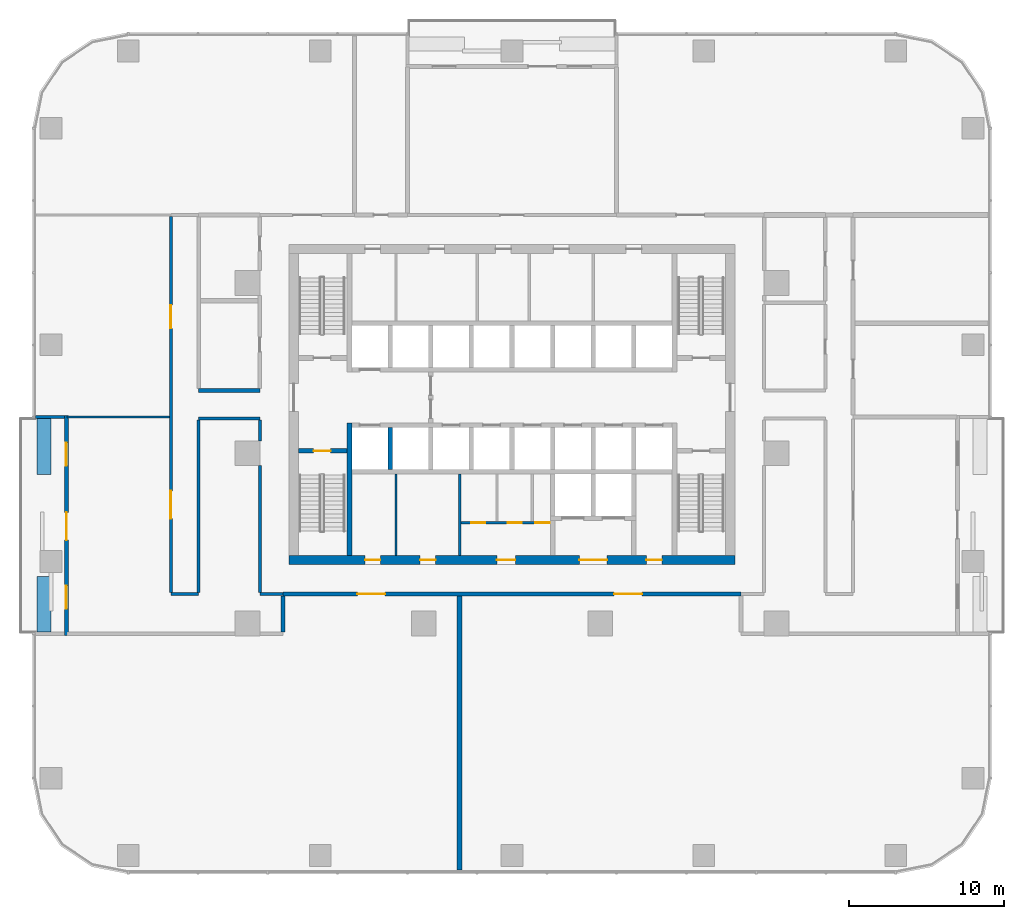
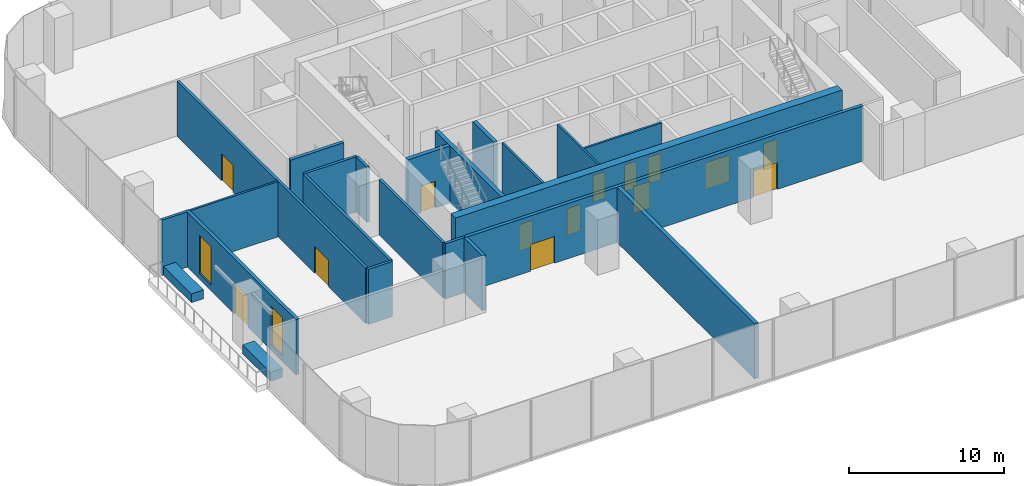
# One storey, part 7 of 14: 23 walls, 14 doors, 2 windows, 16 openings.
"""IFC4 building model written with IfcOpenShell, lengths in metres."""

import ifcopenshell
import ifcopenshell.guid

model = None  # the IFC model being written
_history = None  # IfcOwnerHistory: only IFC2X3 demands one
_inside = {}  # id of a spatial element -> (the spatial element, [elements in it])
_under = {}  # id of a project, library or spatial element -> (it, [spatial elements below it])
_declared = {}  # id of a project -> (the project, [libraries it declares])
_typed = {}  # id of a type object -> (the type object, [elements of that type])
_made_of = {}  # id of a material, layer set ... -> (it, [elements and type objects made of it])


def new_model(schema):
    """Start an empty IFC model of exactly this schema.

    Asked for "IFC4X3", IfcOpenShell would pick the latest addendum, in which some entities
    have other attributes; the version numbers below select the first issue.
    IFC2X3 requires an IfcOwnerHistory on every rooted entity: one is made here for all.
    """
    global model, _history
    if schema == "IFC4X3":
        model = ifcopenshell.file(schema_version=(4, 3, 0, 0))
    else:
        model = ifcopenshell.file(schema=schema)
    _inside.clear()
    _under.clear()
    _declared.clear()
    _typed.clear()
    _made_of.clear()
    _history = None
    if model.schema == "IFC2X3":
        org = make("IfcOrganization", Name="unknown")
        user = make(
            "IfcPersonAndOrganization",
            ThePerson=make("IfcPerson", FamilyName="unknown"),
            TheOrganization=org,
        )
        app = make(
            "IfcApplication",
            ApplicationDeveloper=org,
            Version="unknown",
            ApplicationFullName="unknown",
            ApplicationIdentifier="unknown",
        )
        _history = make(
            "IfcOwnerHistory",
            OwningUser=user,
            OwningApplication=app,
            ChangeAction="ADDED",
            CreationDate=0,
        )
    return model


def make(cls, **values):
    """One entity of the class cls with the attributes given. An attribute that is None is left unset."""
    return model.create_entity(
        cls, **{name: value for name, value in values.items() if value is not None}
    )


def rooted(cls, **values):
    """An entity with a GlobalId (a new one), such as an element, a storey or a relation."""
    return make(cls, GlobalId=ifcopenshell.guid.new(), OwnerHistory=_history, **values)


def si_unit(unit_type, name, prefix=None):
    """IfcSIUnit, for example si_unit("LENGTHUNIT", "METRE", prefix="MILLI")."""
    return make("IfcSIUnit", UnitType=unit_type, Prefix=prefix, Name=name)


def assignment(units):
    """IfcUnitAssignment: the units of a project."""
    return None if units is None else make("IfcUnitAssignment", Units=units)


def point(xyz):
    """IfcCartesianPoint."""
    return None if xyz is None else make("IfcCartesianPoint", Coordinates=xyz)


def direction(xyz):
    """IfcDirection."""
    return None if xyz is None else make("IfcDirection", DirectionRatios=xyz)


def frame(location, z_axis=None, x_axis=None):
    """IfcAxis2Placement3D, a coordinate frame: its origin and axes. An axis left out is left unset."""
    return make(
        "IfcAxis2Placement3D",
        Location=point(location),
        Axis=direction(z_axis),
        RefDirection=direction(x_axis),
    )


def frame_2d(location, x_axis=None):
    """IfcAxis2Placement2D, a coordinate frame in the plane: its origin and x axis."""
    return make(
        "IfcAxis2Placement2D", Location=point(location), RefDirection=direction(x_axis)
    )


def origin():
    """The frame at (0, 0, 0) with its axes left unset."""
    return frame((0.0, 0.0, 0.0))


def place(relative_to, where):
    """IfcLocalPlacement: puts the frame where relative to a parent placement (None: the world)."""
    return make(
        "IfcLocalPlacement", PlacementRelTo=relative_to, RelativePlacement=where
    )


def context(
    kind, dimensions, precision=None, world=None, true_north=None, identifier=None
):
    """IfcGeometricRepresentationContext, for example the 3D "Model" context."""
    return make(
        "IfcGeometricRepresentationContext",
        ContextIdentifier=identifier,
        ContextType=kind,
        CoordinateSpaceDimension=dimensions,
        Precision=precision,
        WorldCoordinateSystem=world,
        TrueNorth=true_north,
    )


def subcontext(parent, identifier, kind, view, scale=None):
    """IfcGeometricRepresentationSubContext, for example "Body" below "Model"."""
    return make(
        "IfcGeometricRepresentationSubContext",
        ContextIdentifier=identifier,
        ContextType=kind,
        ParentContext=parent,
        TargetScale=scale,
        TargetView=view,
    )


def project(units=None, contexts=None):
    """IfcProject with its units and contexts."""
    return rooted(
        "IfcProject",
        Name="project",
        RepresentationContexts=contexts,
        UnitsInContext=assignment(units),
    )


def spatial(cls, under=None, at=None, **own):
    """A site, building, storey or space (cls), placed at a placement, below another one or the project."""
    s = rooted(cls, ObjectPlacement=at, **own)
    if under is not None:
        _under.setdefault(under.id(), (under, []))[1].append(s)
    return s


def profile(cls, at=None, kind="AREA", **sizes):
    """A parametric profile (cls). Its sizes go by their IFC names, for example OverallWidth=200.0."""
    return make(cls, ProfileType=kind, Position=at, **sizes)


def rectangle(**sizes):
    """IfcRectangleProfileDef."""
    return profile("IfcRectangleProfileDef", **sizes)


def extrude(swept, where, along, depth):
    """IfcExtrudedAreaSolid: the profile swept, set in the frame where, extruded along a direction by depth."""
    return make(
        "IfcExtrudedAreaSolid",
        SweptArea=swept,
        Position=where,
        ExtrudedDirection=direction(along),
        Depth=depth,
    )


def shape(context_of_items, identifier, shape_type, items):
    """IfcShapeRepresentation: the items that make up one representation, for example the "Body"."""
    return make(
        "IfcShapeRepresentation",
        ContextOfItems=context_of_items,
        RepresentationIdentifier=identifier,
        RepresentationType=shape_type,
        Items=items,
    )


def material(Name=None, Category=None):
    """IfcMaterial."""
    return make("IfcMaterial", Name=Name, Category=Category)


def layer(
    of_material, thickness, ventilated=None, Name=None, Category=None, Priority=None
):
    """IfcMaterialLayer: one layer of a wall or slab, of a material (None: an air gap)."""
    return make(
        "IfcMaterialLayer",
        Material=of_material,
        LayerThickness=thickness,
        IsVentilated=ventilated,
        Name=Name,
        Category=Category,
        Priority=Priority,
    )


def layer_set(layers, Name=None):
    """IfcMaterialLayerSet."""
    return make("IfcMaterialLayerSet", MaterialLayers=layers, LayerSetName=Name)


def made_of(thing, what):
    """Note that an element or type object is made of a material, layer set ...; save() writes the relation."""
    if what is not None:
        _made_of.setdefault(what.id(), (what, []))[1].append(thing)
    return thing


def type_object(cls, material=None, **own):
    """A type object (cls), such as IfcWallType, which elements share."""
    return made_of(rooted(cls, **own), material)


def element(
    cls,
    number,
    at=None,
    inside=None,
    cuts=None,
    type_object=None,
    material=None,
    context=None,
    identifier="Body",
    shape_type=None,
    held_by="IfcProductDefinitionShape",
    body=None,
    shapes=None,
    **own,
):
    """One element of the class cls, such as IfcWall. Its Tag is "e" and its number.

    at: its placement. inside: the storey or other place that contains it. cuts: it is an
    opening in that element (IfcRelVoidsElement). A single representation is given by context,
    identifier, shape_type and body (its items); several are given by shapes. held_by: the class
    of the entity that holds the representations. save() writes the other relations.
    """
    e = rooted(cls, Tag="e%d" % number, ObjectPlacement=at, **own)
    if body is not None:
        shapes = [shape(context, identifier, shape_type, body)]
    if shapes is not None:
        e.Representation = make(held_by, Representations=shapes)
    if inside is not None:
        _inside.setdefault(inside.id(), (inside, []))[1].append(e)
    if cuts is not None:
        rooted(
            "IfcRelVoidsElement", RelatingBuildingElement=cuts, RelatedOpeningElement=e
        )
    if type_object is not None:
        _typed.setdefault(type_object.id(), (type_object, []))[1].append(e)
    return made_of(e, material)


def fill(opening, filler):
    """IfcRelFillsElement: the door or window that sits in an opening."""
    return rooted(
        "IfcRelFillsElement",
        RelatingOpeningElement=opening,
        RelatedBuildingElement=filler,
    )


def aggregate(whole, parts):
    """IfcRelAggregates: a whole, such as a stair, and the parts it consists of."""
    return rooted("IfcRelAggregates", RelatingObject=whole, RelatedObjects=parts)


def save(model, path):
    """Write the relations noted so far, then the file.

    IfcRelAggregates (storeys below a building ...), IfcRelContainedInSpatialStructure (elements
    in a storey), IfcRelDefinesByType, IfcRelAssociatesMaterial and IfcRelDeclares: one each for
    every whole, place, type object, material and project.
    """
    for whole, parts in _under.values():
        aggregate(whole, parts)
    for where, things in _inside.values():
        rooted(
            "IfcRelContainedInSpatialStructure",
            RelatedElements=things,
            RelatingStructure=where,
        )
    for kind, things in _typed.values():
        rooted("IfcRelDefinesByType", RelatedObjects=things, RelatingType=kind)
    for what, things in _made_of.values():
        rooted("IfcRelAssociatesMaterial", RelatedObjects=things, RelatingMaterial=what)
    for by, libraries in _declared.values():
        rooted("IfcRelDeclares", RelatingContext=by, RelatedDefinitions=libraries)
    model.write(path)


model = new_model("IFC4")

# Units and contexts
model_context = context("Model", 3, precision=1e-05, world=origin(), true_north=direction((0.0, 1.0)))
body_context = subcontext(model_context, "Body", "Model", "MODEL_VIEW")
ifc_project = project(units=[si_unit("LENGTHUNIT", "METRE"), si_unit("AREAUNIT", "SQUARE_METRE"), si_unit("VOLUMEUNIT", "CUBIC_METRE"), si_unit("PLANEANGLEUNIT", "RADIAN"), si_unit("MASSUNIT", "GRAM", prefix="KILO")], contexts=[model_context])

# Site, building, storey
site_placement = place(None, origin())
site = spatial("IfcSite", under=ifc_project, at=site_placement, CompositionType="ELEMENT")
building_placement = place(site_placement, origin())
building = spatial("IfcBuilding", under=site, at=building_placement, Name="Mopane Tessera Tower", CompositionType="ELEMENT")
storey_placement = place(building_placement, frame((0.0, 0.0, 50.199951171875)))
storey = spatial("IfcBuildingStorey", under=building, at=storey_placement, Name="L09", CompositionType="ELEMENT", Elevation=50.199951171875)

# Walls
ifc_material_1 = material(Name="Fire-rated gypsum board partition")
ifc_layer_1 = layer(ifc_material_1, 0.14990234375)
ifc_layer_set_1 = layer_set([ifc_layer_1], Name="Fire-rated gypsum board partition")
wall_type_1 = type_object("IfcWallType", Name="Core room partition 150 mm", PredefinedType="PARTITIONING", material=ifc_layer_set_1)
for number, where, z_axis, x_axis, name in (
    (1, (-7.5, -6.60009765625, 0.0), (0.0, 0.0, 1.0), (0.0, 1.0, 0.0), "L09 Room partition"),
    (2, (-3.375, -6.60009765625, 0.0), (0.0, 0.0, 1.0), (0.0, 1.0, 0.0), "L09 Room partition"),
):
    element("IfcWall", number, at=place(storey_placement, frame(where, z_axis=z_axis, x_axis=x_axis)), inside=storey, type_object=wall_type_1, Name=name, PredefinedType="PARTITIONING", context=body_context, shape_type="SweptSolid", body=[
        extrude(rectangle(XDim=5.25, YDim=0.14990234375, at=frame_2d((2.625, 0.0))), origin(), (0.0, 0.0, 1.0), 4.5),
    ])

# Wall, openings, doors
wall_1_placement = place(storey_placement, frame((-3.300048828125, -4.5, 0.0), z_axis=(0.0, 0.0, 1.0), x_axis=(1.0, 0.0, 0.0)))
wall_1 = element("IfcWall", 3, at=wall_1_placement, inside=storey, type_object=wall_type_1, Name="L09 WC partition", PredefinedType="PARTITIONING", context=body_context, shape_type="SweptSolid", body=[
    extrude(rectangle(XDim=5.775146484375, YDim=0.14990234375, at=frame_2d((2.8876953125, 0.0))), origin(), (0.0, 0.0, 1.0), 4.5),
])
opening_1_placement = place(wall_1_placement, frame((0.675048828125, 0.0, 0.0)))
opening_1 = element("IfcOpeningElement", 4, at=opening_1_placement, cuts=wall_1, Name="Opening WD1", PredefinedType="OPENING", context=body_context, shape_type="SweptSolid", body=[
    extrude(rectangle(XDim=0.89990234375, YDim=2.10009765625, at=frame_2d((0.449951171875, 1.050048828125))), frame((0.0, 0.0869140625, 0.0), z_axis=(0.0, -1.0, 0.0), x_axis=(1.0, 0.0, 0.0)), (0.0, 0.0, 1.0), 0.173828125),
])
opening_2_placement = place(wall_1_placement, frame((3.014892578125, 0.0, 0.0)))
opening_2 = element("IfcOpeningElement", 5, at=opening_2_placement, cuts=wall_1, Name="Opening WD1", PredefinedType="OPENING", context=body_context, shape_type="SweptSolid", body=[
    extrude(rectangle(XDim=0.89990234375, YDim=2.10009765625, at=frame_2d((0.449951171875, 1.050048828125))), frame((0.0, 0.0869140625, 0.0), z_axis=(0.0, -1.0, 0.0), x_axis=(1.0, 0.0, 0.0)), (0.0, 0.0, 1.0), 0.173828125),
])
opening_3_placement = place(wall_1_placement, frame((4.7900390625, 0.0, 0.0)))
opening_3 = element("IfcOpeningElement", 6, at=opening_3_placement, cuts=wall_1, Name="Opening WD2", PredefinedType="OPENING", context=body_context, shape_type="SweptSolid", body=[
    extrude(rectangle(XDim=0.949951171875, YDim=2.10009765625, at=frame_2d((0.47509765625, 1.050048828125))), frame((0.0, 0.0869140625, 0.0), z_axis=(0.0, -1.0, 0.0), x_axis=(1.0, 0.0, 0.0)), (0.0, 0.0, 1.0), 0.173828125),
])
ifc_material_2 = material(Name="Timber door", Category="wood")
door_type_1 = type_object("IfcDoorType", Name="Accessible WC door 950 x 2100", OperationType="SINGLE_SWING_LEFT", PredefinedType="DOOR", material=ifc_material_2)
door_1_placement = place(opening_3_placement, origin())
door_1 = element("IfcDoor", 7, at=door_1_placement, inside=storey, type_object=door_type_1, Name="L09 Accessible WC door", OperationType="SINGLE_SWING_LEFT", OverallHeight=2.10009765625, OverallWidth=0.949951171875, PredefinedType="DOOR", context=body_context, shape_type="SweptSolid", body=[
    extrude(rectangle(XDim=0.949951171875, YDim=2.10009765625, at=frame_2d((0.47509765625, 1.050048828125))), frame((0.0, 0.02490234375, 0.0), z_axis=(0.0, -1.0, 0.0), x_axis=(1.0, 0.0, 0.0)), (0.0, 0.0, 1.0), 0.050048828125),
])
fill(opening_3, door_1)
ifc_material_3 = material(Name="Timber door", Category="wood")
door_type_2 = type_object("IfcDoorType", Name="WC cubicle door 900 x 2100", OperationType="SINGLE_SWING_LEFT", PredefinedType="DOOR", material=ifc_material_3)
door_2_placement = place(opening_1_placement, origin())
door_2 = element("IfcDoor", 8, at=door_2_placement, inside=storey, type_object=door_type_2, Name="L09 Men's WC door", OperationType="SINGLE_SWING_LEFT", OverallHeight=2.10009765625, OverallWidth=0.89990234375, PredefinedType="DOOR", context=body_context, shape_type="SweptSolid", body=[
    extrude(rectangle(XDim=0.89990234375, YDim=2.10009765625, at=frame_2d((0.449951171875, 1.050048828125))), frame((0.0, 0.02490234375, 0.0), z_axis=(0.0, -1.0, 0.0), x_axis=(1.0, 0.0, 0.0)), (0.0, 0.0, 1.0), 0.050048828125),
])
fill(opening_1, door_2)
door_3_placement = place(opening_2_placement, origin())
door_3 = element("IfcDoor", 9, at=door_3_placement, inside=storey, type_object=door_type_2, Name="L09 Women's WC door", OperationType="SINGLE_SWING_LEFT", OverallHeight=2.10009765625, OverallWidth=0.89990234375, PredefinedType="DOOR", context=body_context, shape_type="SweptSolid", body=[
    extrude(rectangle(XDim=0.89990234375, YDim=2.10009765625, at=frame_2d((0.449951171875, 1.050048828125))), frame((0.0, 0.02490234375, 0.0), z_axis=(0.0, -1.0, 0.0), x_axis=(1.0, 0.0, 0.0)), (0.0, 0.0, 1.0), 0.050048828125),
])
fill(opening_2, door_3)

ifc_material_4 = material(Name="Concrete C70/85", Category="concrete")
ifc_layer_2 = layer(ifc_material_4, 0.60009765625)
ifc_layer_set_2 = layer_set([ifc_layer_2], Name="Concrete C70/85")
wall_type_2 = type_object("IfcWallType", Name="Core shear wall 600 mm", PredefinedType="SHEAR", material=ifc_layer_set_2)
wall_2_placement = place(storey_placement, frame((-14.39990234375, -6.89990234375, 0.0), z_axis=(0.0, 0.0, 1.0), x_axis=(1.0, 0.0, 0.0)))
wall_2 = element("IfcWall", 10, at=wall_2_placement, inside=storey, type_object=wall_type_2, Name="L09 Core wall south", PredefinedType="SHEAR", context=body_context, shape_type="SweptSolid", body=[
    extrude(rectangle(XDim=28.7998046875, YDim=0.60009765625, at=frame_2d((14.39990234375, 0.0))), origin(), (0.0, 0.0, 1.0), 4.5),
])
opening_4_placement = place(wall_2_placement, frame((4.89990234375, 0.0, 0.0)))
opening_4 = element("IfcOpeningElement", 11, at=opening_4_placement, cuts=wall_2, Name="Opening RD1", PredefinedType="OPENING", context=body_context, shape_type="SweptSolid", body=[
    extrude(rectangle(XDim=1.0, YDim=2.10009765625, at=frame_2d((0.5, 1.050048828125))), frame((0.0, 0.31201171875, 0.0), z_axis=(0.0, -1.0, 0.0), x_axis=(1.0, 0.0, 0.0)), (0.0, 0.0, 1.0), 0.6240234375),
])
opening_5_placement = place(wall_2_placement, frame((8.46240234375, 0.0, 0.0)))
opening_5 = element("IfcOpeningElement", 12, at=opening_5_placement, cuts=wall_2, Name="Opening RD1", PredefinedType="OPENING", context=body_context, shape_type="SweptSolid", body=[
    extrude(rectangle(XDim=1.0, YDim=2.10009765625, at=frame_2d((0.5, 1.050048828125))), frame((0.0, 0.31201171875, 0.0), z_axis=(0.0, -1.0, 0.0), x_axis=(1.0, 0.0, 0.0)), (0.0, 0.0, 1.0), 0.6240234375),
])
opening_6_placement = place(wall_2_placement, frame((13.425048828125, 0.0, 0.0)))
opening_6 = element("IfcOpeningElement", 13, at=opening_6_placement, cuts=wall_2, Name="Opening WD3", PredefinedType="OPENING", context=body_context, shape_type="SweptSolid", body=[
    extrude(rectangle(XDim=1.199951171875, YDim=2.10009765625, at=frame_2d((0.60009765625, 1.050048828125))), frame((0.0, 0.31201171875, 0.0), z_axis=(0.0, -1.0, 0.0), x_axis=(1.0, 0.0, 0.0)), (0.0, 0.0, 1.0), 0.6240234375),
])
opening_7_placement = place(wall_2_placement, frame((18.75, 0.0, 0.0)))
opening_7 = element("IfcOpeningElement", 14, at=opening_7_placement, cuts=wall_2, Name="Opening SD2", PredefinedType="OPENING", context=body_context, shape_type="SweptSolid", body=[
    extrude(rectangle(XDim=1.800048828125, YDim=2.10009765625, at=frame_2d((0.89990234375, 1.050048828125))), frame((0.0, 0.31201171875, 0.0), z_axis=(0.0, -1.0, 0.0), x_axis=(1.0, 0.0, 0.0)), (0.0, 0.0, 1.0), 0.6240234375),
])
opening_8_placement = place(wall_2_placement, frame((23.08740234375, 0.0, 0.0)))
opening_8 = element("IfcOpeningElement", 15, at=opening_8_placement, cuts=wall_2, Name="Opening RD1", PredefinedType="OPENING", context=body_context, shape_type="SweptSolid", body=[
    extrude(rectangle(XDim=1.0, YDim=2.10009765625, at=frame_2d((0.5, 1.050048828125))), frame((0.0, 0.31201171875, 0.0), z_axis=(0.0, -1.0, 0.0), x_axis=(1.0, 0.0, 0.0)), (0.0, 0.0, 1.0), 0.6240234375),
])
ifc_material_5 = material(Name="Steel fire door", Category="steel")
door_type_3 = type_object("IfcDoorType", Name="Core entrance double door 1800 x 2100", OperationType="DOUBLE_DOOR_SINGLE_SWING", PredefinedType="DOOR", material=ifc_material_5)
door_4_placement = place(opening_7_placement, origin())
door_4 = element("IfcDoor", 16, at=door_4_placement, inside=storey, type_object=door_type_3, Name="L09 Service lobby door", OperationType="DOUBLE_DOOR_SINGLE_SWING", OverallHeight=2.10009765625, OverallWidth=1.800048828125, PredefinedType="DOOR", context=body_context, shape_type="SweptSolid", body=[
    extrude(rectangle(XDim=1.800048828125, YDim=2.10009765625, at=frame_2d((0.89990234375, 1.050048828125))), frame((0.0, 0.02490234375, 0.0), z_axis=(0.0, -1.0, 0.0), x_axis=(1.0, 0.0, 0.0)), (0.0, 0.0, 1.0), 0.050048828125),
])
fill(opening_7, door_4)
ifc_material_6 = material(Name="Timber door", Category="wood")
door_type_4 = type_object("IfcDoorType", Name="Core room door 1000 x 2100", OperationType="SINGLE_SWING_LEFT", PredefinedType="DOOR", material=ifc_material_6)
door_5_placement = place(opening_4_placement, origin())
door_5 = element("IfcDoor", 17, at=door_5_placement, inside=storey, type_object=door_type_4, Name="L09 Room door", OperationType="SINGLE_SWING_LEFT", OverallHeight=2.10009765625, OverallWidth=1.0, PredefinedType="DOOR", context=body_context, shape_type="SweptSolid", body=[
    extrude(rectangle(XDim=1.0, YDim=2.10009765625, at=frame_2d((0.5, 1.050048828125))), frame((0.0, 0.02490234375, 0.0), z_axis=(0.0, -1.0, 0.0), x_axis=(1.0, 0.0, 0.0)), (0.0, 0.0, 1.0), 0.050048828125),
])
fill(opening_4, door_5)
door_6_placement = place(opening_5_placement, origin())
door_6 = element("IfcDoor", 18, at=door_6_placement, inside=storey, type_object=door_type_4, Name="L09 Room door", OperationType="SINGLE_SWING_LEFT", OverallHeight=2.10009765625, OverallWidth=1.0, PredefinedType="DOOR", context=body_context, shape_type="SweptSolid", body=[
    extrude(rectangle(XDim=1.0, YDim=2.10009765625, at=frame_2d((0.5, 1.050048828125))), frame((0.0, 0.02490234375, 0.0), z_axis=(0.0, -1.0, 0.0), x_axis=(1.0, 0.0, 0.0)), (0.0, 0.0, 1.0), 0.050048828125),
])
fill(opening_5, door_6)
door_7_placement = place(opening_8_placement, origin())
door_7 = element("IfcDoor", 19, at=door_7_placement, inside=storey, type_object=door_type_4, Name="L09 Room door", OperationType="SINGLE_SWING_LEFT", OverallHeight=2.10009765625, OverallWidth=1.0, PredefinedType="DOOR", context=body_context, shape_type="SweptSolid", body=[
    extrude(rectangle(XDim=1.0, YDim=2.10009765625, at=frame_2d((0.5, 1.050048828125))), frame((0.0, 0.02490234375, 0.0), z_axis=(0.0, -1.0, 0.0), x_axis=(1.0, 0.0, 0.0)), (0.0, 0.0, 1.0), 0.050048828125),
])
fill(opening_8, door_7)
ifc_material_7 = material(Name="Timber door", Category="wood")
door_type_5 = type_object("IfcDoorType", Name="WC lobby door 1200 x 2100", OperationType="SINGLE_SWING_LEFT", PredefinedType="DOOR", material=ifc_material_7)
door_8_placement = place(opening_6_placement, origin())
door_8 = element("IfcDoor", 20, at=door_8_placement, inside=storey, type_object=door_type_5, Name="L09 WC lobby door", OperationType="SINGLE_SWING_LEFT", OverallHeight=2.10009765625, OverallWidth=1.199951171875, PredefinedType="DOOR", context=body_context, shape_type="SweptSolid", body=[
    extrude(rectangle(XDim=1.199951171875, YDim=2.10009765625, at=frame_2d((0.60009765625, 1.050048828125))), frame((0.0, 0.02490234375, 0.0), z_axis=(0.0, -1.0, 0.0), x_axis=(1.0, 0.0, 0.0)), (0.0, 0.0, 1.0), 0.050048828125),
])
fill(opening_6, door_8)

# Walls
ifc_material_8 = material(Name="Concrete C60/75", Category="concrete")
ifc_layer_3 = layer(ifc_material_8, 0.300048828125)
ifc_layer_set_3 = layer_set([ifc_layer_3], Name="Concrete C60/75")
wall_type_3 = type_object("IfcWallType", Name="Core spine wall 300 mm", PredefinedType="SHEAR", material=ifc_layer_set_3)
wall_3_placement = place(storey_placement, frame((-10.5, -6.60009765625, 0.0), z_axis=(0.0, 0.0, 1.0), x_axis=(0.0, 1.0, 0.0)))
element("IfcWall", 21, at=wall_3_placement, inside=storey, type_object=wall_type_3, Name="L09 Core spine wall", PredefinedType="SHEAR", context=body_context, shape_type="SweptSolid", body=[
    extrude(rectangle(XDim=8.550048828125, YDim=0.300048828125, at=frame_2d((4.27490234375, 0.0))), origin(), (0.0, 0.0, 1.0), 4.5),
])
ifc_material_9 = material(Name="Gypsum board on steel studs, two layers each face, mineral wool infill", Category="steel")
ifc_layer_4 = layer(ifc_material_9, 0.199951171875)
ifc_layer_set_4 = layer_set([ifc_layer_4], Name="Gypsum board on steel studs, two layers each face, mineral wool infill")
wall_type_4 = type_object("IfcWallType", Name="Gypsum board corridor wall 200, rated EI 60", PredefinedType="PARTITIONING", material=ifc_layer_set_4)
wall_4_placement = place(storey_placement, frame((-22.050048828125, -9.10009765625, 0.0), z_axis=(0.0, 0.0, 1.0), x_axis=(1.0, 0.0, 0.0)))
element("IfcWall", 22, at=wall_4_placement, inside=storey, type_object=wall_type_4, Name="Partition L09:004", PredefinedType="PARTITIONING", context=body_context, shape_type="SweptSolid", body=[
    extrude(rectangle(XDim=1.800048828125, YDim=0.199951171875, at=frame_2d((0.89990234375, 0.0))), origin(), (0.0, 0.0, 1.0), 4.35009765625),
])
wall_5_placement = place(storey_placement, frame((-16.300048828125, -9.10009765625, 0.0), z_axis=(0.0, 0.0, 1.0), x_axis=(1.0, 0.0, 0.0)))
element("IfcWall", 23, at=wall_5_placement, inside=storey, type_object=wall_type_4, Name="Partition L09:005", PredefinedType="PARTITIONING", context=body_context, shape_type="SweptSolid", body=[
    extrude(rectangle(XDim=1.5, YDim=0.199951171875, at=frame_2d((0.75, 0.0))), origin(), (0.0, 0.0, 1.0), 4.35009765625),
])
wall_6_placement = place(storey_placement, frame((-20.25, 2.25, 0.0), z_axis=(0.0, 0.0, 1.0), x_axis=(1.0, 0.0, 0.0)))
element("IfcWall", 24, at=wall_6_placement, inside=storey, type_object=wall_type_4, Name="Partition L09:009", PredefinedType="PARTITIONING", context=body_context, shape_type="SweptSolid", body=[
    extrude(rectangle(XDim=3.949951171875, YDim=0.199951171875, at=frame_2d((1.97509765625, 0.0))), origin(), (0.0, 0.0, 1.0), 4.35009765625),
])

# Wall, openings, doors
wall_7_placement = place(storey_placement, frame((-22.050048828125, -9.0, 0.0), z_axis=(0.0, 0.0, 1.0), x_axis=(0.0, 1.0, 0.0)))
wall_7 = element("IfcWall", 25, at=wall_7_placement, inside=storey, type_object=wall_type_4, Name="Partition L09:028", PredefinedType="PARTITIONING", context=body_context, shape_type="SweptSolid", body=[
    extrude(rectangle(XDim=24.300048828125, YDim=0.199951171875, at=frame_2d((12.14990234375, 0.0))), origin(), (0.0, 0.0, 1.0), 4.35009765625),
])
opening_9_placement = place(wall_7_placement, frame((17.0673828125, 0.0, 0.0)))
opening_9 = element("IfcOpeningElement", 26, at=opening_9_placement, cuts=wall_7, Name="Opening L09-04", PredefinedType="OPENING", context=body_context, shape_type="SweptSolid", body=[
    extrude(rectangle(XDim=1.5, YDim=2.10009765625, at=frame_2d((0.75, 1.050048828125))), frame((0.0, 0.112060546875, 0.0), z_axis=(0.0, -1.0, 0.0), x_axis=(1.0, 0.0, 0.0)), (0.0, 0.0, 1.0), 0.223876953125),
])
opening_10_placement = place(wall_7_placement, frame((4.767578125, 0.0, 0.0)))
opening_10 = element("IfcOpeningElement", 27, at=opening_10_placement, cuts=wall_7, Name="Opening L09-13", PredefinedType="OPENING", context=body_context, shape_type="SweptSolid", body=[
    extrude(rectangle(XDim=1.800048828125, YDim=2.10009765625, at=frame_2d((0.89990234375, 1.050048828125))), frame((0.0, 0.112060546875, 0.0), z_axis=(0.0, -1.0, 0.0), x_axis=(1.0, 0.0, 0.0)), (0.0, 0.0, 1.0), 0.223876953125),
])
ifc_material_10 = material(Name="Timber veneered steel-framed fire door", Category="steel")
door_type_6 = type_object("IfcDoorType", Name="Fire door pair FD60 1500 x 2100", OperationType="DOUBLE_DOOR_SINGLE_SWING", PredefinedType="DOOR", material=ifc_material_10)
door_9_placement = place(opening_9_placement, origin())
door_9 = element("IfcDoor", 28, at=door_9_placement, inside=storey, type_object=door_type_6, Name="Door L09-04", ObjectType="D17A", OperationType="DOUBLE_DOOR_SINGLE_SWING", OverallHeight=2.10009765625, OverallWidth=1.5, PredefinedType="DOOR", context=body_context, shape_type="SweptSolid", body=[
    extrude(rectangle(XDim=1.5, YDim=2.10009765625, at=frame_2d((0.75, 1.050048828125))), frame((0.0, 0.02490234375, 0.0), z_axis=(0.0, -1.0, 0.0), x_axis=(1.0, 0.0, 0.0)), (0.0, 0.0, 1.0), 0.050048828125),
])
fill(opening_9, door_9)
ifc_material_11 = material(Name="Timber veneered steel-framed fire door", Category="steel")
door_type_7 = type_object("IfcDoorType", Name="Fire door pair FD60 1800 x 2100", OperationType="DOUBLE_DOOR_SINGLE_SWING", PredefinedType="DOOR", material=ifc_material_11)
door_10_placement = place(opening_10_placement, origin())
door_10 = element("IfcDoor", 29, at=door_10_placement, inside=storey, type_object=door_type_7, Name="Door L09-13", ObjectType="D20A", OperationType="DOUBLE_DOOR_SINGLE_SWING", OverallHeight=2.10009765625, OverallWidth=1.800048828125, PredefinedType="DOOR", context=body_context, shape_type="SweptSolid", body=[
    extrude(rectangle(XDim=1.800048828125, YDim=2.10009765625, at=frame_2d((0.89990234375, 1.050048828125))), frame((0.0, 0.02490234375, 0.0), z_axis=(0.0, -1.0, 0.0), x_axis=(1.0, 0.0, 0.0)), (0.0, 0.0, 1.0), 0.050048828125),
])
fill(opening_10, door_10)

# Walls
wall_8_placement = place(storey_placement, frame((-20.25, -9.0, 0.0), z_axis=(0.0, 0.0, 1.0), x_axis=(0.0, 1.0, 0.0)))
element("IfcWall", 30, at=wall_8_placement, inside=storey, type_object=wall_type_4, Name="Partition L09:029", PredefinedType="PARTITIONING", context=body_context, shape_type="SweptSolid", body=[
    extrude(rectangle(XDim=11.14990234375, YDim=0.199951171875, at=frame_2d((5.574951171875, 0.0))), origin(), (0.0, 0.0, 1.0), 4.35009765625),
])
wall_9_placement = place(storey_placement, frame((-16.300048828125, -9.0, 0.0), z_axis=(0.0, 0.0, 1.0), x_axis=(0.0, 1.0, 0.0)))
element("IfcWall", 31, at=wall_9_placement, inside=storey, type_object=wall_type_4, Name="Partition L09:031", PredefinedType="PARTITIONING", context=body_context, shape_type="SweptSolid", body=[
    extrude(rectangle(XDim=8.199951171875, YDim=0.199951171875, at=frame_2d((4.10009765625, 0.0))), origin(), (0.0, 0.0, 1.0), 4.35009765625),
])
wall_10_placement = place(storey_placement, frame((-16.300048828125, 0.800048828125, 0.0), z_axis=(0.0, 0.0, 1.0), x_axis=(0.0, 1.0, 0.0)))
element("IfcWall", 32, at=wall_10_placement, inside=storey, type_object=wall_type_4, Name="Partition L09:032", PredefinedType="PARTITIONING", context=body_context, shape_type="SweptSolid", body=[
    extrude(rectangle(XDim=1.349853515625, YDim=0.199951171875, at=frame_2d((0.6748046875, 0.0))), origin(), (0.0, 0.0, 1.0), 4.35009765625),
])
ifc_material_12 = material(Name="Gypsum board on steel studs, mineral wool infill", Category="steel")
ifc_layer_5 = layer(ifc_material_12, 0.14990234375)
ifc_layer_set_5 = layer_set([ifc_layer_5], Name="Gypsum board on steel studs, mineral wool infill")
wall_type_5 = type_object("IfcWallType", Name="Gypsum board partition 150, rated EI 60", PredefinedType="PARTITIONING", material=ifc_layer_set_5)
wall_11_placement = place(storey_placement, frame((-28.75, 2.3349609375, 0.0), z_axis=(0.0, 0.0, 1.0), x_axis=(1.0, 0.0, 0.0)))
element("IfcWall", 33, at=wall_11_placement, inside=storey, type_object=wall_type_5, Name="Partition L09:011", PredefinedType="PARTITIONING", context=body_context, shape_type="SweptSolid", body=[
    extrude(rectangle(XDim=6.60009765625, YDim=0.14990234375, at=frame_2d((3.300048828125, 0.0))), origin(), (0.0, 0.0, 1.0), 4.35009765625),
])

# Wall, opening, door
ifc_material_13 = material(Name="Concrete C50/60", Category="concrete")
ifc_layer_6 = layer(ifc_material_13, 0.300048828125)
ifc_layer_set_6 = layer_set([ifc_layer_6], Name="Concrete C50/60")
wall_type_6 = type_object("IfcWallType", Name="Lift and stair shaft wall 300 mm", PredefinedType="SOLIDWALL", material=ifc_layer_set_6)
wall_12_placement = place(storey_placement, frame((-13.800048828125, 0.14990234375, 0.0), z_axis=(0.0, 0.0, 1.0), x_axis=(1.0, 0.0, 0.0)))
wall_12 = element("IfcWall", 34, at=wall_12_placement, inside=storey, type_object=wall_type_6, Name="L09 Stair enclosure wall", PredefinedType="SOLIDWALL", context=body_context, shape_type="SweptSolid", body=[
    extrude(rectangle(XDim=3.150146484375, YDim=0.300048828125, at=frame_2d((1.5751953125, 0.0))), origin(), (0.0, 0.0, 1.0), 4.5),
])
opening_11_placement = place(wall_12_placement, frame((0.97509765625, 0.0, 0.0)))
opening_11 = element("IfcOpeningElement", 35, at=opening_11_placement, cuts=wall_12, Name="Opening SD1", PredefinedType="OPENING", context=body_context, shape_type="SweptSolid", body=[
    extrude(rectangle(XDim=1.10009765625, YDim=2.10009765625, at=frame_2d((0.550048828125, 1.050048828125))), frame((0.0, 0.162109375, 0.0), z_axis=(0.0, -1.0, 0.0), x_axis=(1.0, 0.0, 0.0)), (0.0, 0.0, 1.0), 0.323974609375),
])
ifc_material_14 = material(Name="Steel fire door", Category="steel")
door_type_8 = type_object("IfcDoorType", Name="Stair fire door 1100 x 2100", OperationType="SINGLE_SWING_LEFT", PredefinedType="DOOR", material=ifc_material_14)
door_11_placement = place(opening_11_placement, origin())
door_11 = element("IfcDoor", 36, at=door_11_placement, inside=storey, type_object=door_type_8, Name="L09 Stair door ST1", OperationType="SINGLE_SWING_LEFT", OverallHeight=2.10009765625, OverallWidth=1.10009765625, PredefinedType="DOOR", context=body_context, shape_type="SweptSolid", body=[
    extrude(rectangle(XDim=1.10009765625, YDim=2.10009765625, at=frame_2d((0.550048828125, 1.050048828125))), frame((0.0, 0.02490234375, 0.0), z_axis=(0.0, -1.0, 0.0), x_axis=(1.0, 0.0, 0.0)), (0.0, 0.0, 1.0), 0.050048828125),
])
fill(opening_11, door_11)

# Walls
wall_13_placement = place(storey_placement, frame((-7.875, -1.050048828125, 0.0), z_axis=(0.0, 0.0, 1.0), x_axis=(0.0, 1.0, 0.0)))
element("IfcWall", 37, at=wall_13_placement, inside=storey, type_object=wall_type_6, Name="L09 Lift shaft wall", PredefinedType="SOLIDWALL", context=body_context, shape_type="SweptSolid", body=[
    extrude(rectangle(XDim=2.699951171875, YDim=0.300048828125, at=frame_2d((1.35009765625, 0.0))), origin(), (0.0, 0.0, 1.0), 4.5),
])
ifc_material_15 = material(Name="Reinforced concrete C32/40 with waterproofing", Category="concrete")
ifc_layer_7 = layer(ifc_material_15, 0.89990234375)
ifc_layer_set_7 = layer_set([ifc_layer_7], Name="Reinforced concrete C32/40 with waterproofing")
wall_type_7 = type_object("IfcWallType", Name="Planter trough 3600 x 900", PredefinedType="STANDARD", material=ifc_layer_set_7)
for number, where, z_axis, x_axis, name in (
    (38, (-30.25, 2.2333984375, 0.0), (0.0, 0.0, 1.0), (0.0, -1.0, 0.0), "e:nw:L09:N3:pl0"),
    (39, (-30.25, -7.966552734375, 0.0), (0.0, 0.0, 1.0), (0.0, -1.0, 0.0), "e:nw:L09:N3:pl1"),
):
    element("IfcWall", number, at=place(storey_placement, frame(where, z_axis=z_axis, x_axis=x_axis)), inside=storey, type_object=wall_type_7, Name=name, PredefinedType="STANDARD", context=body_context, shape_type="SweptSolid", body=[
        extrude(rectangle(XDim=3.60009765625, YDim=0.89990234375, at=frame_2d((1.800048828125, 0.0))), origin(), (0.0, 0.0, 1.0), 0.699951171875),
    ])
ifc_material_16 = material(Name="Plastered concrete blockwork C20/25", Category="masonry")
ifc_layer_8 = layer(ifc_material_16, 0.300048828125)
ifc_layer_set_8 = layer_set([ifc_layer_8], Name="Plastered concrete blockwork C20/25")
wall_type_8 = type_object("IfcWallType", Name="Plastered blockwork separation wall 300, rated EI 120", PredefinedType="PARTITIONING", material=ifc_layer_set_8)
wall_14_placement = place(storey_placement, frame((-3.39501953125, -26.949951171875, 0.0), z_axis=(0.0, 0.0, 1.0), x_axis=(0.0, 1.0, 0.0)))
element("IfcWall", 40, at=wall_14_placement, inside=storey, type_object=wall_type_8, Name="Partition L09:038", PredefinedType="PARTITIONING", context=body_context, shape_type="SweptSolid", body=[
    extrude(rectangle(XDim=17.724853515625, YDim=0.300048828125, at=frame_2d((8.8623046875, 0.0))), origin(), (0.0, 0.0, 1.0), 4.35009765625),
])

# Wall, openings, doors
ifc_material_17 = material(Name="Plastered concrete blockwork C20/25", Category="masonry")
ifc_layer_9 = layer(ifc_material_17, 0.25)
ifc_layer_set_9 = layer_set([ifc_layer_9], Name="Plastered concrete blockwork C20/25")
wall_type_9 = type_object("IfcWallType", Name="Plastered blockwork wall 250, rated EI 120", PredefinedType="PARTITIONING", material=ifc_layer_set_9)
wall_15_placement = place(storey_placement, frame((-14.800048828125, -9.10009765625, 0.0), z_axis=(0.0, 0.0, 1.0), x_axis=(1.0, 0.0, 0.0)))
wall_15 = element("IfcWall", 41, at=wall_15_placement, inside=storey, type_object=wall_type_9, Name="Partition L09:008", PredefinedType="PARTITIONING", context=body_context, shape_type="SweptSolid", body=[
    extrude(rectangle(XDim=29.60009765625, YDim=0.25, at=frame_2d((14.800048828125, 0.0))), origin(), (0.0, 0.0, 1.0), 4.35009765625),
])
opening_12_placement = place(wall_15_placement, frame((4.802490234375, 0.0, 0.0)))
opening_12 = element("IfcOpeningElement", 42, at=opening_12_placement, cuts=wall_15, Name="Opening L09-05", PredefinedType="OPENING", context=body_context, shape_type="SweptSolid", body=[
    extrude(rectangle(XDim=1.800048828125, YDim=2.10009765625, at=frame_2d((0.89990234375, 1.050048828125))), frame((0.0, 0.136962890625, 0.0), z_axis=(0.0, -1.0, 0.0), x_axis=(1.0, 0.0, 0.0)), (0.0, 0.0, 1.0), 0.27392578125),
])
opening_13_placement = place(wall_15_placement, frame((21.402587890625, 0.0, 0.0)))
opening_13 = element("IfcOpeningElement", 43, at=opening_13_placement, cuts=wall_15, Name="Opening L09-07", PredefinedType="OPENING", context=body_context, shape_type="SweptSolid", body=[
    extrude(rectangle(XDim=1.800048828125, YDim=2.10009765625, at=frame_2d((0.89990234375, 1.050048828125))), frame((0.0, 0.136962890625, 0.0), z_axis=(0.0, -1.0, 0.0), x_axis=(1.0, 0.0, 0.0)), (0.0, 0.0, 1.0), 0.27392578125),
])
ifc_material_18 = material(Name="Timber veneered steel-framed fire door", Category="steel")
door_type_9 = type_object("IfcDoorType", Name="Fire door pair FD120 1800 x 2100", OperationType="DOUBLE_DOOR_SINGLE_SWING", PredefinedType="DOOR", material=ifc_material_18)
door_12_placement = place(opening_12_placement, origin())
door_12 = element("IfcDoor", 44, at=door_12_placement, inside=storey, type_object=door_type_9, Name="Door L09-05", ObjectType="D20B", OperationType="DOUBLE_DOOR_SINGLE_SWING", OverallHeight=2.10009765625, OverallWidth=1.800048828125, PredefinedType="DOOR", context=body_context, shape_type="SweptSolid", body=[
    extrude(rectangle(XDim=1.800048828125, YDim=2.10009765625, at=frame_2d((0.89990234375, 1.050048828125))), frame((0.0, 0.02490234375, 0.0), z_axis=(0.0, -1.0, 0.0), x_axis=(1.0, 0.0, 0.0)), (0.0, 0.0, 1.0), 0.050048828125),
])
fill(opening_12, door_12)
door_13_placement = place(opening_13_placement, origin())
door_13 = element("IfcDoor", 45, at=door_13_placement, inside=storey, type_object=door_type_9, Name="Door L09-07", ObjectType="D20B", OperationType="DOUBLE_DOOR_SINGLE_SWING", OverallHeight=2.10009765625, OverallWidth=1.800048828125, PredefinedType="DOOR", context=body_context, shape_type="SweptSolid", body=[
    extrude(rectangle(XDim=1.800048828125, YDim=2.10009765625, at=frame_2d((0.89990234375, 1.050048828125))), frame((0.0, 0.02490234375, 0.0), z_axis=(0.0, -1.0, 0.0), x_axis=(1.0, 0.0, 0.0)), (0.0, 0.0, 1.0), 0.050048828125),
])
fill(opening_13, door_13)

# Walls
wall_16_placement = place(storey_placement, frame((-20.25, 4.050048828125, 0.0), z_axis=(0.0, 0.0, 1.0), x_axis=(1.0, 0.0, 0.0)))
element("IfcWall", 46, at=wall_16_placement, inside=storey, type_object=wall_type_9, Name="Partition L09:014", PredefinedType="PARTITIONING", context=body_context, shape_type="SweptSolid", body=[
    extrude(rectangle(XDim=3.949951171875, YDim=0.25, at=frame_2d((1.97509765625, 0.0))), origin(), (0.0, 0.0, 1.0), 4.35009765625),
])
wall_17_placement = place(storey_placement, frame((-14.800048828125, -11.5400390625, 0.0), z_axis=(0.0, 0.0, 1.0), x_axis=(0.0, 1.0, 0.0)))
element("IfcWall", 47, at=wall_17_placement, inside=storey, type_object=wall_type_9, Name="Partition L09:035", PredefinedType="PARTITIONING", context=body_context, shape_type="SweptSolid", body=[
    extrude(rectangle(XDim=2.31494140625, YDim=0.25, at=frame_2d((1.157470703125, 0.0))), origin(), (0.0, 0.0, 1.0), 4.35009765625),
])
ifc_material_19 = material(Name="Blockwork with glazed tile facing", Category="masonry")
ifc_layer_10 = layer(ifc_material_19, 0.199951171875)
ifc_layer_set_10 = layer_set([ifc_layer_10], Name="Blockwork with glazed tile facing")
wall_type_10 = type_object("IfcWallType", Name="Terrace cheek wall 200", PredefinedType="STANDARD", material=ifc_layer_set_10)
wall_18_placement = place(storey_placement, frame((-30.800048828125, 2.333251953125, 0.0), z_axis=(0.0, 0.0, 1.0), x_axis=(1.0, 0.0, 0.0)))
element("IfcWall", 48, at=wall_18_placement, inside=storey, type_object=wall_type_10, Name="e:nw:L09:N3:cheeka", PredefinedType="STANDARD", context=body_context, shape_type="SweptSolid", body=[
    extrude(rectangle(XDim=1.875, YDim=0.199951171875, at=frame_2d((0.9375, 0.0))), origin(), (0.0, 0.0, 1.0), 4.35009765625),
])

# Wall, openings, windows, door
ifc_material_20 = material(Name="Blockwork with ultramarine glazed tile facing", Category="masonry")
ifc_layer_11 = layer(ifc_material_20, 0.25)
ifc_layer_set_11 = layer_set([ifc_layer_11], Name="Blockwork with ultramarine glazed tile facing")
wall_type_11 = type_object("IfcWallType", Name="Tile-clad external wall 250, ultramarine", PredefinedType="STANDARD", material=ifc_layer_set_11)
wall_19_placement = place(storey_placement, frame((-28.800048828125, 2.433349609375, 0.0), z_axis=(0.0, 0.0, 1.0), x_axis=(0.0, -1.0, 0.0)))
wall_19 = element("IfcWall", 49, at=wall_19_placement, inside=storey, type_object=wall_type_11, Name="e:nw:L09:N3:back", PredefinedType="STANDARD", context=body_context, shape_type="SweptSolid", body=[
    extrude(rectangle(XDim=14.199951171875, YDim=0.25, at=frame_2d((7.10009765625, 0.0))), origin(), (0.0, 0.0, 1.0), 4.35009765625),
])
opening_14_placement = place(wall_19_placement, frame((1.75, 0.0, 0.449951171875)))
opening_14 = element("IfcOpeningElement", 50, at=opening_14_placement, cuts=wall_19, Name="Opening NW093A", PredefinedType="OPENING", context=body_context, shape_type="SweptSolid", body=[
    extrude(rectangle(XDim=1.5, YDim=3.0, at=frame_2d((0.75, 1.5))), frame((0.0, 0.136962890625, 0.0), z_axis=(0.0, -1.0, 0.0), x_axis=(1.0, 0.0, 0.0)), (0.0, 0.0, 1.0), 0.27392578125),
])
opening_15_placement = place(wall_19_placement, frame((6.25, 0.0, 0.0)))
opening_15 = element("IfcOpeningElement", 51, at=opening_15_placement, cuts=wall_19, Name="Opening ND093", PredefinedType="OPENING", context=body_context, shape_type="SweptSolid", body=[
    extrude(rectangle(XDim=1.800048828125, YDim=2.39990234375, at=frame_2d((0.89990234375, 1.199951171875))), frame((0.0, 0.136962890625, 0.0), z_axis=(0.0, -1.0, 0.0), x_axis=(1.0, 0.0, 0.0)), (0.0, 0.0, 1.0), 0.27392578125),
])
opening_16_placement = place(wall_19_placement, frame((11.0, 0.0, 0.449951171875)))
opening_16 = element("IfcOpeningElement", 52, at=opening_16_placement, cuts=wall_19, Name="Opening NW093B", PredefinedType="OPENING", context=body_context, shape_type="SweptSolid", body=[
    extrude(rectangle(XDim=1.5, YDim=3.0, at=frame_2d((0.75, 1.5))), frame((0.0, 0.136962890625, 0.0), z_axis=(0.0, -1.0, 0.0), x_axis=(1.0, 0.0, 0.0)), (0.0, 0.0, 1.0), 0.27392578125),
])
ifc_material_21 = material(Name="Clear laminated glass", Category="glass")
window_type = type_object("IfcWindowType", Name="Fixed window 1500 x 3000", PartitioningType="SINGLE_PANEL", PredefinedType="WINDOW", material=ifc_material_21)
window_1_placement = place(opening_14_placement, origin())
window_1 = element("IfcWindow", 53, at=window_1_placement, inside=storey, type_object=window_type, Name="e:nw:L09:N3:win0", OverallHeight=3.0, OverallWidth=1.5, PartitioningType="SINGLE_PANEL", PredefinedType="WINDOW", context=body_context, shape_type="SweptSolid", body=[
    extrude(rectangle(XDim=1.5, YDim=3.0, at=frame_2d((0.75, 1.5))), frame((0.0, 0.030029296875, 0.0), z_axis=(0.0, -1.0, 0.0), x_axis=(1.0, 0.0, 0.0)), (0.0, 0.0, 1.0), 0.06005859375),
])
fill(opening_14, window_1)
window_2_placement = place(opening_16_placement, origin())
window_2 = element("IfcWindow", 54, at=window_2_placement, inside=storey, type_object=window_type, Name="e:nw:L09:N3:win2", OverallHeight=3.0, OverallWidth=1.5, PartitioningType="SINGLE_PANEL", PredefinedType="WINDOW", context=body_context, shape_type="SweptSolid", body=[
    extrude(rectangle(XDim=1.5, YDim=3.0, at=frame_2d((0.75, 1.5))), frame((0.0, 0.030029296875, 0.0), z_axis=(0.0, -1.0, 0.0), x_axis=(1.0, 0.0, 0.0)), (0.0, 0.0, 1.0), 0.06005859375),
])
fill(opening_16, window_2)
ifc_material_22 = material(Name="Aluminium and clear glass", Category="aluminium")
door_type_10 = type_object("IfcDoorType", Name="Terrace double door 1800 x 2400", OperationType="DOUBLE_DOOR_SINGLE_SWING", PredefinedType="DOOR", material=ifc_material_22)
door_14_placement = place(opening_15_placement, origin())
door_14 = element("IfcDoor", 55, at=door_14_placement, inside=storey, type_object=door_type_10, Name="e:nw:L09:N3:door", ObjectType="D1", OperationType="DOUBLE_DOOR_SINGLE_SWING", OverallHeight=2.39990234375, OverallWidth=1.800048828125, PredefinedType="DOOR", context=body_context, shape_type="SweptSolid", body=[
    extrude(rectangle(XDim=1.800048828125, YDim=2.39990234375, at=frame_2d((0.89990234375, 1.199951171875))), frame((0.0, 0.02490234375, 0.0), z_axis=(0.0, -1.0, 0.0), x_axis=(1.0, 0.0, 0.0)), (0.0, 0.0, 1.0), 0.050048828125),
])
fill(opening_15, door_14)

save(model, "model.ifc")
